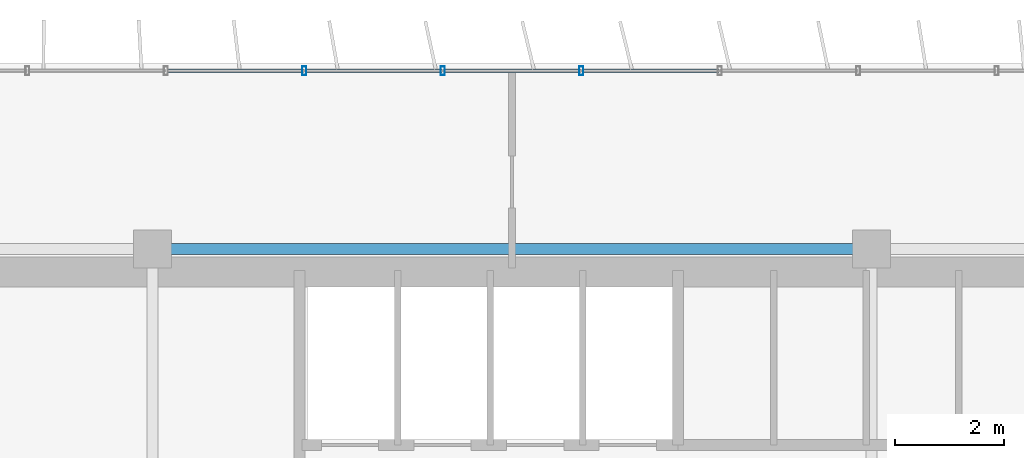
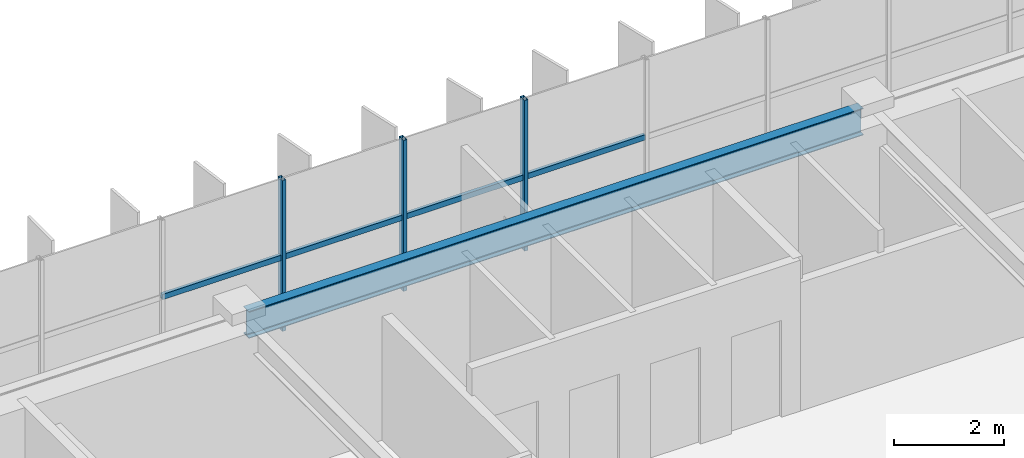
# One storey, part 7 of 20: 7 members, 1 beam, 1 element without a shape of its own.
"""IFC4 building model written with IfcOpenShell, lengths in metres."""

from ifc_helpers import new_model, si_unit, direction, frame, origin, origin_2d, place, context, subcontext, project, spatial, hollow_rectangle, i_section, extrude, source, transform, mapped, material, material_profile, profile_set, type_object, element, aggregate, save


model = new_model("IFC4")

# Units and contexts
model_context = context("Model", 3, precision=1e-05, world=origin(), true_north=direction((0.0, 1.0)))
body_context = subcontext(model_context, "Body", "Model", "MODEL_VIEW")
ifc_project = project(units=[si_unit("LENGTHUNIT", "METRE"), si_unit("AREAUNIT", "SQUARE_METRE"), si_unit("VOLUMEUNIT", "CUBIC_METRE"), si_unit("PLANEANGLEUNIT", "RADIAN"), si_unit("MASSUNIT", "GRAM", prefix="KILO")], contexts=[model_context])

# Site, building, storey
site_placement = place(None, origin())
site = spatial("IfcSite", under=ifc_project, at=site_placement, CompositionType="ELEMENT")
building_placement = place(site_placement, origin())
building = spatial("IfcBuilding", under=site, at=building_placement, Name="Trelvane Seafront Commons", CompositionType="ELEMENT")
storey_placement = place(building_placement, frame((0.0, 0.0, 150.10009765625)))
storey = spatial("IfcBuildingStorey", under=building, at=storey_placement, Name="L39", CompositionType="ELEMENT", Elevation=150.10009765625)

# Beam
ifc_material_1 = material(Name="Steel SM355 (S355)", Category="steel")
ifc_material_profile_1 = material_profile(ifc_material_1, i_section(OverallWidth=0.199951171875, OverallDepth=0.60009765625, WebThickness=0.010986328125, FlangeThickness=0.01708984375, at=origin_2d()), Name="H-600x200x11x17")
ifc_profile_set_1 = profile_set([ifc_material_profile_1], Name="Steel SM355 (S355)")
beam_type = type_object("IfcBeamType", Name="STR-SPD-H600", PredefinedType="SPANDREL", material=ifc_profile_set_1)
shared_shape_1 = source(origin(), body_context, "Body", "SweptSolid", [
    extrude(i_section(OverallWidth=0.199951171875, OverallDepth=0.60009765625, WebThickness=0.010986328125, FlangeThickness=0.01708984375, at=origin_2d()), origin(), (0.0, 0.0, 1.0), 12.89990234375),
])
beam_placement = place(storey_placement, frame((30.75, 45.10009765625, 3.0498046875), z_axis=(1.0, 0.0, 0.0), x_axis=(0.0, 1.0, 0.0)))
element("IfcBeam", 1, at=beam_placement, inside=storey, type_object=beam_type, Name="L39 Primary Girder G-25", PredefinedType="SPANDREL", context=body_context, shape_type="MappedRepresentation", body=[
    mapped(shared_shape_1, transform((0.0, 0.0, 0.0), x_axis=(1.0, 0.0, 0.0), y_axis=(0.0, 1.0, 0.0), z_axis=(0.0, 0.0, 1.0), scale=1.0)),
])

# Curtain wall, members
ifc_material_2 = material(Name="Anodised pale-silver aluminium", Category="aluminium")
curtain_wall_type = type_object("IfcCurtainWallType", Name="ARCH-CW5-UPTOWER", PredefinedType="NOTDEFINED", material=ifc_material_2)
curtain_wall_placement = place(storey_placement, origin())
curtain_wall = element("IfcCurtainWall", 2, at=curtain_wall_placement, inside=storey, type_object=curtain_wall_type, Name="CW-L39-0066", PredefinedType="NOTDEFINED")
ifc_material_profile_2 = material_profile(ifc_material_2, hollow_rectangle(XDim=0.070068359375, YDim=0.1201171875, WallThickness=0.00390625, at=origin_2d()), Name="TRAN-70x120x4")
ifc_profile_set_2 = profile_set([ifc_material_profile_2], Name="Anodised pale-silver aluminium")
member_type_1 = type_object("IfcMemberType", Name="ARCH-CW-TRAN-120", PredefinedType="USERDEFINED", material=ifc_profile_set_2)
shared_shape_2 = source(origin(), body_context, "Body", "SweptSolid", [
    extrude(hollow_rectangle(XDim=0.070068359375, YDim=0.1201171875, WallThickness=0.00390625, at=origin_2d()), origin(), (0.0, 0.0, 1.0), 2.51708984375),
])
member_1_placement = place(storey_placement, frame((30.859130859375, 48.3701171875, 1.60791015625), z_axis=(1.0, 0.0, 0.0), x_axis=(0.0, 1.0, 0.0)))
member_1 = element("IfcMember", 3, at=member_1_placement, type_object=member_type_1, Name="CW-L39-0066-T06", ObjectType="TRANSOM", PredefinedType="USERDEFINED", context=body_context, shape_type="MappedRepresentation", body=[
    mapped(shared_shape_2, transform((0.0, 0.0, 0.0), x_axis=(1.0, 0.0, 0.0), y_axis=(0.0, 1.0, 0.0), z_axis=(0.0, 0.0, 1.0), scale=1.0)),
])
member_2_placement = place(storey_placement, frame((35.94140625, 48.3701171875, 1.60791015625), z_axis=(1.0, 0.0, 0.0), x_axis=(0.0, 1.0, 0.0)))
member_2 = element("IfcMember", 4, at=member_2_placement, type_object=member_type_1, Name="CW-L39-0066-T08", ObjectType="TRANSOM", PredefinedType="USERDEFINED", context=body_context, shape_type="MappedRepresentation", body=[
    mapped(shared_shape_2, transform((0.0, 0.0, 0.0), x_axis=(1.0, 0.0, 0.0), y_axis=(0.0, 1.0, 0.0), z_axis=(0.0, 0.0, 1.0), scale=1.0)),
])
member_3_placement = place(storey_placement, frame((38.482666015625, 48.3701171875, 1.60791015625), z_axis=(1.0, 0.0, 0.0), x_axis=(0.0, 1.0, 0.0)))
member_3 = element("IfcMember", 5, at=member_3_placement, type_object=member_type_1, Name="CW-L39-0066-T09", ObjectType="TRANSOM", PredefinedType="USERDEFINED", context=body_context, shape_type="MappedRepresentation", body=[
    mapped(shared_shape_2, transform((0.0, 0.0, 0.0), x_axis=(1.0, 0.0, 0.0), y_axis=(0.0, 1.0, 0.0), z_axis=(0.0, 0.0, 1.0), scale=1.0)),
])
shared_shape_3 = source(origin(), body_context, "Body", "SweptSolid", [
    extrude(hollow_rectangle(XDim=0.070068359375, YDim=0.1201171875, WallThickness=0.00390625, at=origin_2d()), origin(), (0.0, 0.0, 1.0), 2.517333984375),
])
member_4_placement = place(storey_placement, frame((33.400146484375, 48.3701171875, 1.60791015625), z_axis=(1.0, 0.0, 0.0), x_axis=(0.0, 1.0, 0.0)))
member_4 = element("IfcMember", 6, at=member_4_placement, type_object=member_type_1, Name="CW-L39-0066-T07", ObjectType="TRANSOM", PredefinedType="USERDEFINED", context=body_context, shape_type="MappedRepresentation", body=[
    mapped(shared_shape_3, transform((0.0, 0.0, 0.0), x_axis=(1.0, 0.0, 0.0), y_axis=(0.0, 1.0, 0.0), z_axis=(0.0, 0.0, 1.0), scale=1.0)),
])
ifc_material_profile_3 = material_profile(ifc_material_2, hollow_rectangle(XDim=0.074951171875, YDim=0.159912109375, WallThickness=0.00390625, at=origin_2d()), Name="MULL-75x160x4")
ifc_profile_set_3 = profile_set([ifc_material_profile_3], Name="Anodised pale-silver aluminium")
member_type_2 = type_object("IfcMemberType", Name="ARCH-CW-MULL-160", PredefinedType="MULLION", material=ifc_profile_set_3)
shared_shape_4 = source(origin(), body_context, "Body", "SweptSolid", [
    extrude(hollow_rectangle(XDim=0.074951171875, YDim=0.159912109375, WallThickness=0.00390625, at=origin_2d()), origin(), (0.0, 0.0, 1.0), 3.349853515625),
])
member_5_placement = place(storey_placement, frame((33.38818359375, 48.3701171875, 0.0), z_axis=(0.0, 0.0, 1.0), x_axis=(1.0, 0.0, 0.0)))
member_5 = element("IfcMember", 7, at=member_5_placement, type_object=member_type_2, Name="CW-L39-0066-M07", PredefinedType="MULLION", context=body_context, shape_type="MappedRepresentation", body=[
    mapped(shared_shape_4, transform((0.0, 0.0, 0.0), x_axis=(1.0, 0.0, 0.0), y_axis=(0.0, 1.0, 0.0), z_axis=(0.0, 0.0, 1.0), scale=1.0)),
])
member_6_placement = place(storey_placement, frame((35.929443359375, 48.3701171875, 0.0), z_axis=(0.0, 0.0, 1.0), x_axis=(1.0, 0.0, 0.0)))
member_6 = element("IfcMember", 8, at=member_6_placement, type_object=member_type_2, Name="CW-L39-0066-M08", PredefinedType="MULLION", context=body_context, shape_type="MappedRepresentation", body=[
    mapped(shared_shape_4, transform((0.0, 0.0, 0.0), x_axis=(1.0, 0.0, 0.0), y_axis=(0.0, 1.0, 0.0), z_axis=(0.0, 0.0, 1.0), scale=1.0)),
])
member_7_placement = place(storey_placement, frame((38.470703125, 48.3701171875, 0.0), z_axis=(0.0, 0.0, 1.0), x_axis=(1.0, 0.0, 0.0)))
member_7 = element("IfcMember", 9, at=member_7_placement, type_object=member_type_2, Name="CW-L39-0066-M09", PredefinedType="MULLION", context=body_context, shape_type="MappedRepresentation", body=[
    mapped(shared_shape_4, transform((0.0, 0.0, 0.0), x_axis=(1.0, 0.0, 0.0), y_axis=(0.0, 1.0, 0.0), z_axis=(0.0, 0.0, 1.0), scale=1.0)),
])
aggregate(curtain_wall, [member_5, member_6, member_7, member_1, member_4, member_2, member_3])

save(model, "model.ifc")
